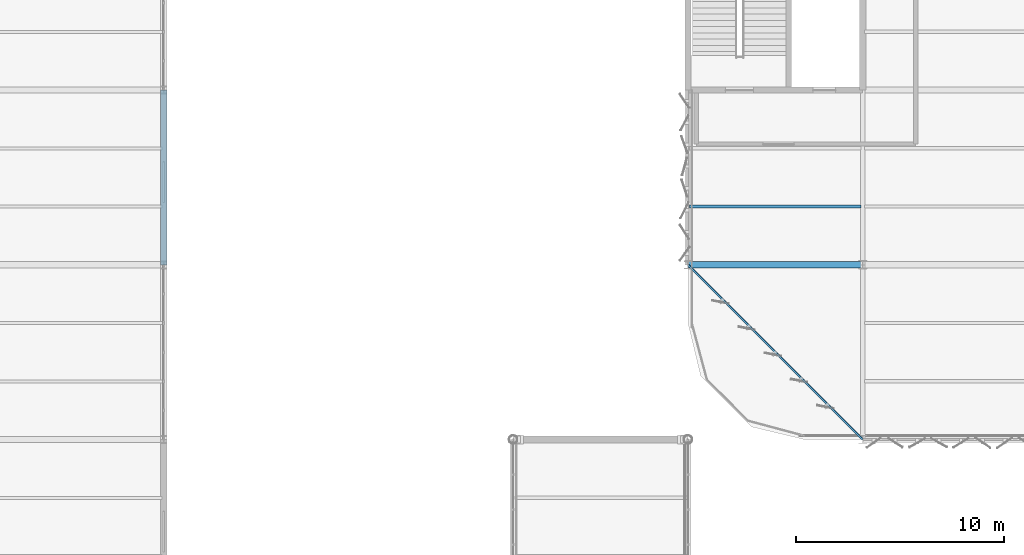
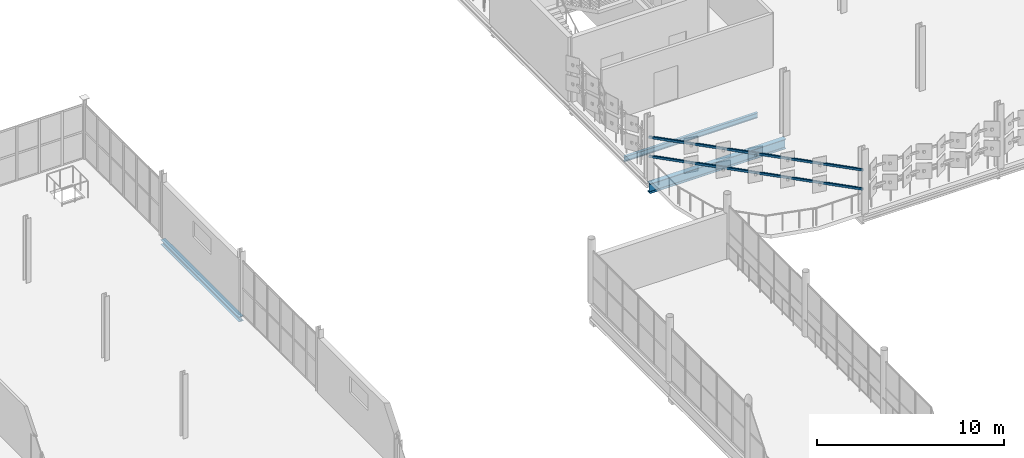
# One storey, part 88 of 163: 5 beams.
"""IFC4 building model written with IfcOpenShell, lengths in metres."""

from ifc_helpers import new_model, si_unit, direction, frame, origin, origin_2d, place, context, subcontext, project, spatial, hollow_rectangle, i_section, extrude, material, material_profile, profile_set, type_object, element, save


model = new_model("IFC4")

# Units and contexts
model_context = context("Model", 3, precision=1e-05, world=origin(), true_north=direction((0.0, 1.0)))
body_context = subcontext(model_context, "Body", "Model", "MODEL_VIEW")
ifc_project = project(units=[si_unit("LENGTHUNIT", "METRE"), si_unit("AREAUNIT", "SQUARE_METRE"), si_unit("VOLUMEUNIT", "CUBIC_METRE"), si_unit("PLANEANGLEUNIT", "RADIAN"), si_unit("MASSUNIT", "GRAM", prefix="KILO")], contexts=[model_context])

# Site, building, storey
site_placement = place(None, origin())
site = spatial("IfcSite", under=ifc_project, at=site_placement, CompositionType="ELEMENT")
building_placement = place(site_placement, origin())
building = spatial("IfcBuilding", under=site, at=building_placement, Name="Qalvenar Corner Mobility Hub", CompositionType="ELEMENT")
storey_placement = place(building_placement, frame((0.0, 0.0, 4.800048828125)))
storey = spatial("IfcBuildingStorey", under=building, at=storey_placement, Name="L01", CompositionType="ELEMENT", Elevation=4.800048828125)

# Beams
ifc_material = material(Name="Steel S355", Category="steel")
ifc_material_profile_1 = material_profile(ifc_material, i_section(OverallWidth=0.300048828125, OverallDepth=0.639892578125, WebThickness=0.013427734375, FlangeThickness=0.02587890625, FilletRadius=0.027099609375, at=origin_2d()), Name="HEA650")
ifc_profile_set_1 = profile_set([ifc_material_profile_1], Name="Steel S355")
beam_type_1 = type_object("IfcBeamType", Name="BM-HEA650", PredefinedType="BEAM", material=ifc_profile_set_1)
beam_1_placement = place(storey_placement, frame((58.800048828125, 75.60009765625, -0.56005859375), z_axis=(1.0, 0.0, 0.0), x_axis=(0.0, 1.0, 0.0)))
element("IfcBeam", 1, at=beam_1_placement, inside=storey, type_object=beam_type_1, Name="Primary Steel Girder GX-1264", PredefinedType="BEAM", context=body_context, shape_type="SweptSolid", body=[
    extrude(i_section(OverallWidth=0.300048828125, OverallDepth=0.639892578125, WebThickness=0.013427734375, FlangeThickness=0.02587890625, FilletRadius=0.027099609375, at=origin_2d()), origin(), (0.0, 0.0, 1.0), 8.39990234375),
])
ifc_material_profile_2 = material_profile(ifc_material, i_section(OverallWidth=0.159912109375, OverallDepth=0.330078125, WebThickness=0.007568359375, FlangeThickness=0.011474609375, FilletRadius=0.01806640625, at=origin_2d()), Name="IPE330")
ifc_profile_set_2 = profile_set([ifc_material_profile_2], Name="Steel S355")
beam_type_2 = type_object("IfcBeamType", Name="BM-JST330", PredefinedType="JOIST", material=ifc_profile_set_2)
beam_2_placement = place(storey_placement, frame((58.8779296875, 78.39990234375, -0.405029296875), z_axis=(1.0, 0.0, 0.0), x_axis=(0.0, 1.0, 0.0)))
element("IfcBeam", 2, at=beam_2_placement, inside=storey, type_object=beam_type_2, Name="Composite Floor Joist J-1374", PredefinedType="JOIST", context=body_context, shape_type="SweptSolid", body=[
    extrude(i_section(OverallWidth=0.159912109375, OverallDepth=0.330078125, WebThickness=0.007568359375, FlangeThickness=0.011474609375, FilletRadius=0.01806640625, at=origin_2d()), origin(), (0.0, 0.0, 1.0), 8.244140625),
])
ifc_material_profile_3 = material_profile(ifc_material, i_section(OverallWidth=0.300048828125, OverallDepth=0.31005859375, WebThickness=0.009033203125, FlangeThickness=0.015380859375, FilletRadius=0.027099609375, at=origin_2d()), Name="HEA320")
ifc_profile_set_3 = profile_set([ifc_material_profile_3], Name="Steel S355")
beam_type_3 = type_object("IfcBeamType", Name="BM-SPN320", PredefinedType="SPANDREL", material=ifc_profile_set_3)
beam_3_placement = place(storey_placement, frame((33.60009765625, 75.60009765625, -0.3349609375), z_axis=(0.0, 1.0, 0.0), x_axis=(-1.0, 0.0, 0.0)))
element("IfcBeam", 3, at=beam_3_placement, inside=storey, type_object=beam_type_3, Name="Primary Steel Girder GY-1208", PredefinedType="SPANDREL", context=body_context, shape_type="SweptSolid", body=[
    extrude(i_section(OverallWidth=0.300048828125, OverallDepth=0.31005859375, WebThickness=0.009033203125, FlangeThickness=0.015380859375, FilletRadius=0.027099609375, at=origin_2d()), origin(), (0.0, 0.0, 1.0), 8.39990234375),
])
ifc_material_profile_4 = material_profile(ifc_material, hollow_rectangle(XDim=0.10009765625, YDim=0.14990234375, WallThickness=0.00634765625, InnerFilletRadius=0.00634765625, OuterFilletRadius=0.0126953125, at=origin_2d()), Name="RHS150x100x6.3")
ifc_profile_set_4 = profile_set([ifc_material_profile_4], Name="Steel S355")
beam_type_4 = type_object("IfcBeamType", Name="FR-RAIL150", PredefinedType="SPANDREL", material=ifc_profile_set_4)
for number, where, z_axis, x_axis, name in (
    (4, (58.800048828125, 75.60009765625, 1.5), (0.707096505339, -0.707117056885, 0.0), (0.707117056885, 0.707096505339, 0.0), "Corner Facade Rail FRC-L01-0041"),
    (5, (58.800048828125, 75.60009765625, 2.75), (0.707096505339, -0.707117056885, 0.0), (0.707117056885, 0.707096505339, 0.0), "Corner Facade Rail FRC-L01-0042"),
):
    element("IfcBeam", number, at=place(storey_placement, frame(where, z_axis=z_axis, x_axis=x_axis)), inside=storey, type_object=beam_type_4, Name=name, PredefinedType="SPANDREL", context=body_context, shape_type="SweptSolid", body=[
        extrude(hollow_rectangle(XDim=0.10009765625, YDim=0.14990234375, WallThickness=0.00634765625, InnerFilletRadius=0.00634765625, OuterFilletRadius=0.0126953125, at=origin_2d()), origin(), (0.0, 0.0, 1.0), 11.87939453125),
    ])

save(model, "model.ifc")
